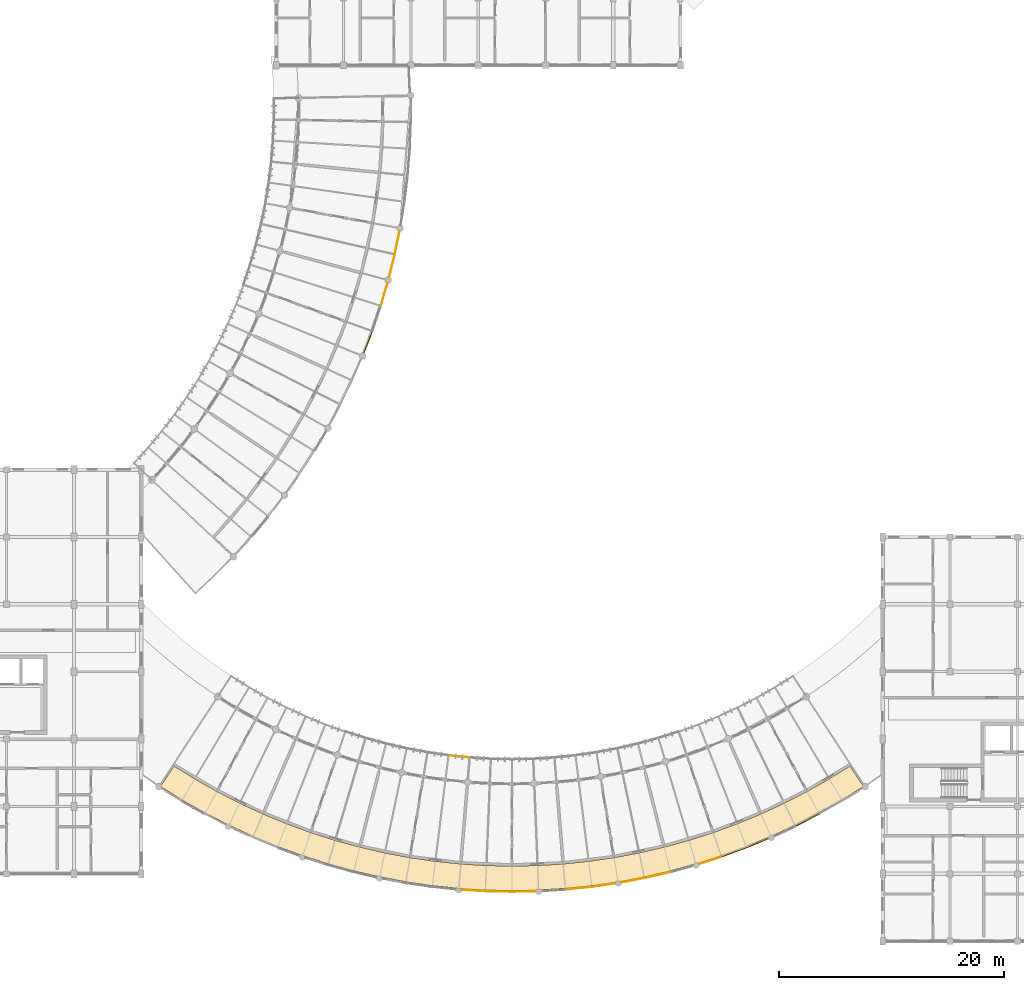
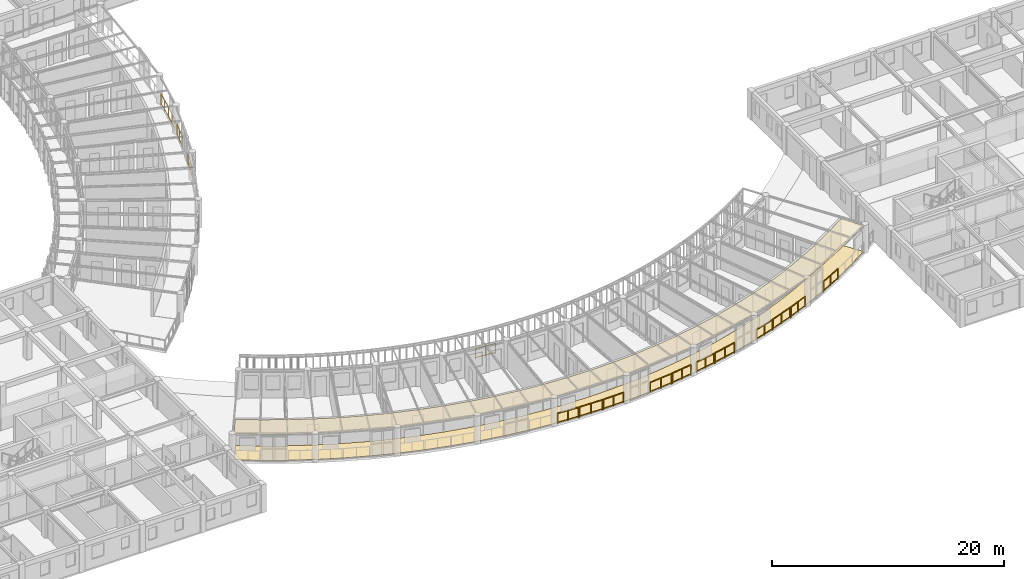
# One storey, part 92 of 101: 16 railings, 2 coverings.
"""IFC4 building model written with IfcOpenShell, lengths in metres."""

from ifc_helpers import new_model, si_unit, direction, frame, origin, origin_2d, place, context, subcontext, project, spatial, polyline, circle, outline, extrude, material, layer, layer_set, type_object, element, save


model = new_model("IFC4")

# Units and contexts
model_context = context("Model", 3, precision=1e-05, world=origin(), true_north=direction((0.0, 1.0)))
body_context = subcontext(model_context, "Body", "Model", "MODEL_VIEW")
ifc_project = project(units=[si_unit("LENGTHUNIT", "METRE"), si_unit("AREAUNIT", "SQUARE_METRE"), si_unit("VOLUMEUNIT", "CUBIC_METRE"), si_unit("PLANEANGLEUNIT", "RADIAN"), si_unit("MASSUNIT", "GRAM", prefix="KILO"), si_unit("POWERUNIT", "WATT"), si_unit("THERMODYNAMICTEMPERATUREUNIT", "KELVIN")], contexts=[model_context])

# Site, building, storey
site_placement = place(None, origin())
site = spatial("IfcSite", under=ifc_project, at=site_placement, CompositionType="ELEMENT")
building_placement = place(site_placement, origin())
building = spatial("IfcBuilding", under=site, at=building_placement, Name="Ruvembo Vaulted Housing Court", CompositionType="ELEMENT")
storey_placement = place(building_placement, frame((0.0, 0.0, 17.300048828125)))
storey = spatial("IfcBuildingStorey", under=building, at=storey_placement, Name="L05", CompositionType="ELEMENT", Elevation=17.300048828125)

# Coverings
ifc_material_1 = material(Name="Perforated Mineral-Fibre Acoustic Tile", Category="gypsum")
ifc_layer_1 = layer(ifc_material_1, 0.02001953125, Name="Perforated Mineral-Fibre Acoustic Tile")
ifc_layer_set_1 = layer_set([ifc_layer_1], Name="Perforated Mineral-Fibre Acoustic Tile")
covering_type_1 = type_object("IfcCoveringType", Name="COV-CEIL-ACOUST", PredefinedType="CEILING", material=ifc_layer_set_1)
covering_1_placement = place(storey_placement, frame((0.0, 0.0, 2.744873046875)))
element("IfcCovering", 1, at=covering_1_placement, inside=storey, type_object=covering_type_1, Name="Scoop SC2 L05 Shaded Access Gallery Ceiling", PredefinedType="CEILING", context=body_context, shape_type="SweptSolid", body=[
    extrude(outline(polyline([(37.705810546875, 13.7763671875), (39.62548828125, 12.5810546875), (41.6884765625, 11.41162109375), (43.798095703125, 10.328369140625), (45.950439453125, 9.3330078125), (48.14208984375, 8.427001953125), (50.369384765625, 7.612548828125), (52.628173828125, 6.890380859375), (54.9150390625, 6.26220703125), (57.2255859375, 5.728759765625), (59.556396484375, 5.291015625), (61.9033203125, 4.94970703125), (64.26220703125, 4.70556640625), (66.62890625, 4.558837890625), (69.0, 4.510009765625), (71.37109375, 4.558837890625), (73.73779296875, 4.70556640625), (76.0966796875, 4.94970703125), (78.443603515625, 5.291015625), (80.7744140625, 5.728759765625), (83.0849609375, 6.26220703125), (85.371826171875, 6.890380859375), (87.630615234375, 7.612548828125), (89.85791015625, 8.427001953125), (92.049560546875, 9.3330078125), (94.201904296875, 10.328369140625), (96.3115234375, 11.41162109375), (98.37451171875, 12.5810546875), (100.294189453125, 13.7763671875), (99.104248046875, 15.602783203125), (97.2626953125, 14.456298828125), (97.2587890625, 14.453857421875), (95.27783203125, 13.3310546875), (95.27392578125, 13.328857421875), (93.248291015625, 12.288818359375), (93.244384765625, 12.286865234375), (91.177490234375, 11.3310546875), (91.17333984375, 11.3291015625), (89.069091796875, 10.45947265625), (89.064697265625, 10.457763671875), (86.92626953125, 9.675537109375), (86.922119140625, 9.674072265625), (84.753173828125, 8.980712890625), (84.748779296875, 8.9794921875), (82.552978515625, 8.376220703125), (82.548583984375, 8.375244140625), (80.330078125, 7.86279296875), (80.32568359375, 7.862060546875), (78.087646484375, 7.441650390625), (78.083251953125, 7.44091796875), (75.829833984375, 7.11328125), (75.825439453125, 7.11279296875), (73.560546875, 6.87841796875), (73.555908203125, 6.8779296875), (71.283203125, 6.737060546875), (71.27880859375, 6.73681640625), (69.002197265625, 6.68994140625), (68.997802734375, 6.68994140625), (66.72119140625, 6.73681640625), (66.716796875, 6.737060546875), (64.444091796875, 6.8779296875), (64.439453125, 6.87841796875), (62.174560546875, 7.11279296875), (62.170166015625, 7.11328125), (59.916748046875, 7.44091796875), (59.912109375, 7.441650390625), (57.67431640625, 7.862060546875), (57.669921875, 7.86279296875), (55.451416015625, 8.375244140625), (55.447021484375, 8.376220703125), (53.251220703125, 8.9794921875), (53.246826171875, 8.980712890625), (51.077880859375, 9.674072265625), (51.07373046875, 9.675537109375), (48.935302734375, 10.457763671875), (48.930908203125, 10.45947265625), (46.82666015625, 11.3291015625), (46.822509765625, 11.3310546875), (44.755615234375, 12.286865234375), (44.751708984375, 12.288818359375), (42.72607421875, 13.328857421875), (42.72216796875, 13.3310546875), (40.7412109375, 14.453857421875), (40.7373046875, 14.456298828125), (38.895751953125, 15.602783203125), (37.705810546875, 13.7763671875)])), origin(), (0.0, 0.0, 1.0), 0.02001953125),
])
ifc_material_2 = material(Name="Polished Cement-Aggregate Terrazzo", Category="stone")
ifc_layer_2 = layer(ifc_material_2, 0.02197265625, Name="Polished Cement-Aggregate Terrazzo")
ifc_layer_set_2 = layer_set([ifc_layer_2], Name="Polished Cement-Aggregate Terrazzo")
covering_type_2 = type_object("IfcCoveringType", Name="COV-FLR-CERAMIC", PredefinedType="FLOORING", material=ifc_layer_set_2)
covering_2_placement = place(storey_placement, origin())
element("IfcCovering", 2, at=covering_2_placement, inside=storey, type_object=covering_type_2, Name="Scoop SC2 L05 Shaded Access Gallery Flooring", PredefinedType="FLOORING", context=body_context, shape_type="SweptSolid", body=[
    extrude(outline(polyline([(37.705810546875, 13.7763671875), (39.62548828125, 12.5810546875), (41.6884765625, 11.41162109375), (43.798095703125, 10.328369140625), (45.950439453125, 9.3330078125), (48.14208984375, 8.427001953125), (50.369384765625, 7.612548828125), (52.628173828125, 6.890380859375), (54.9150390625, 6.26220703125), (57.2255859375, 5.728759765625), (59.556396484375, 5.291015625), (61.9033203125, 4.94970703125), (64.26220703125, 4.70556640625), (66.62890625, 4.558837890625), (69.0, 4.510009765625), (71.37109375, 4.558837890625), (73.73779296875, 4.70556640625), (76.0966796875, 4.94970703125), (78.443603515625, 5.291015625), (80.7744140625, 5.728759765625), (83.0849609375, 6.26220703125), (85.371826171875, 6.890380859375), (87.630615234375, 7.612548828125), (89.85791015625, 8.427001953125), (92.049560546875, 9.3330078125), (94.201904296875, 10.328369140625), (96.3115234375, 11.41162109375), (98.37451171875, 12.5810546875), (100.294189453125, 13.7763671875), (99.104248046875, 15.602783203125), (97.2626953125, 14.456298828125), (97.2587890625, 14.453857421875), (95.27783203125, 13.3310546875), (95.27392578125, 13.328857421875), (93.248291015625, 12.288818359375), (93.244384765625, 12.286865234375), (91.177490234375, 11.3310546875), (91.17333984375, 11.3291015625), (89.069091796875, 10.45947265625), (89.064697265625, 10.457763671875), (86.92626953125, 9.675537109375), (86.922119140625, 9.674072265625), (84.753173828125, 8.980712890625), (84.748779296875, 8.9794921875), (82.552978515625, 8.376220703125), (82.548583984375, 8.375244140625), (80.330078125, 7.86279296875), (80.32568359375, 7.862060546875), (78.087646484375, 7.441650390625), (78.083251953125, 7.44091796875), (75.829833984375, 7.11328125), (75.825439453125, 7.11279296875), (73.560546875, 6.87841796875), (73.555908203125, 6.8779296875), (71.283203125, 6.737060546875), (71.27880859375, 6.73681640625), (69.002197265625, 6.68994140625), (68.997802734375, 6.68994140625), (66.72119140625, 6.73681640625), (66.716796875, 6.737060546875), (64.444091796875, 6.8779296875), (64.439453125, 6.87841796875), (62.174560546875, 7.11279296875), (62.170166015625, 7.11328125), (59.916748046875, 7.44091796875), (59.912109375, 7.441650390625), (57.67431640625, 7.862060546875), (57.669921875, 7.86279296875), (55.451416015625, 8.375244140625), (55.447021484375, 8.376220703125), (53.251220703125, 8.9794921875), (53.246826171875, 8.980712890625), (51.077880859375, 9.674072265625), (51.07373046875, 9.675537109375), (48.935302734375, 10.457763671875), (48.930908203125, 10.45947265625), (46.82666015625, 11.3291015625), (46.822509765625, 11.3310546875), (44.755615234375, 12.286865234375), (44.751708984375, 12.288818359375), (42.72607421875, 13.328857421875), (42.72216796875, 13.3310546875), (40.7412109375, 14.453857421875), (40.7373046875, 14.456298828125), (38.895751953125, 15.602783203125), (37.705810546875, 13.7763671875)])), origin(), (0.0, 0.0, 1.0), 0.02197265625),
])

# Railings
ifc_material_3 = material(Name="Galvanised Painted Steel and Laminated Glass", Category="steel")
ifc_layer_3 = layer(ifc_material_3, 0.070068359375, Name="Galvanised Painted Steel and Laminated Glass")
ifc_layer_set_3 = layer_set([ifc_layer_3], Name="Galvanised Painted Steel and Laminated Glass")
railing_type_1 = type_object("IfcRailingType", Name="RL-BALUST-1120", PredefinedType="BALUSTRADE", material=ifc_layer_set_3)
railing_1_placement = place(storey_placement, frame((55.818115234375, 52.389892578125, 0.0)))
element("IfcRailing", 3, at=railing_1_placement, inside=storey, type_object=railing_type_1, Name="L05 Perimeter Guard RL-EXT-L05-0188", PredefinedType="BALUSTRADE", context=body_context, shape_type="SweptSolid", body=[
    extrude(circle(Radius=0.02392578125, at=origin_2d()), frame((0.0, 0.0, 1.09619140625), z_axis=(0.358308891854, 0.933603094478, 0.0), x_axis=(-0.933603094478, 0.358308891854, 0.0)), (0.0, 0.0, 1.0), 2.0263671875),
    extrude(circle(Radius=0.01806640625, at=origin_2d()), frame((0.0, 0.0, 0.1201171875), z_axis=(0.358308891854, 0.933603094478, 0.0), x_axis=(-0.933603094478, 0.358308891854, 0.0)), (0.0, 0.0, 1.0), 2.0263671875),
    extrude(circle(Radius=0.02099609375, at=origin_2d()), origin(), (0.0, 0.0, 1.0), 1.072021484375),
    extrude(circle(Radius=0.02099609375, at=origin_2d()), frame((0.363037109375, 0.94580078125, 0.0)), (0.0, 0.0, 1.0), 1.072021484375),
    extrude(circle(Radius=0.02099609375, at=origin_2d()), frame((0.72607421875, 1.891845703125, 0.0)), (0.0, 0.0, 1.0), 1.072021484375),
])
railing_2_placement = place(storey_placement, frame((57.336181640625, 56.628173828125, 0.0)))
element("IfcRailing", 4, at=railing_2_placement, inside=storey, type_object=railing_type_1, Name="L05 Perimeter Guard RL-EXT-L05-0189", PredefinedType="BALUSTRADE", context=body_context, shape_type="SweptSolid", body=[
    extrude(circle(Radius=0.02392578125, at=origin_2d()), frame((0.0, 0.0, 1.09619140625), z_axis=(0.280841912011, 0.959754041647, 0.0), x_axis=(-0.959754041647, 0.280841912011, 0.0)), (0.0, 0.0, 1.0), 2.0263671875),
    extrude(circle(Radius=0.01806640625, at=origin_2d()), frame((0.0, 0.0, 0.1201171875), z_axis=(0.280841912011, 0.959754041647, 0.0), x_axis=(-0.959754041647, 0.280841912011, 0.0)), (0.0, 0.0, 1.0), 2.0263671875),
    extrude(circle(Radius=0.02099609375, at=origin_2d()), origin(), (0.0, 0.0, 1.0), 1.072021484375),
    extrude(circle(Radius=0.02099609375, at=origin_2d()), frame((0.28466796875, 0.972412109375, 0.0)), (0.0, 0.0, 1.0), 1.072021484375),
    extrude(circle(Radius=0.02099609375, at=origin_2d()), frame((0.569091796875, 1.94482421875, 0.0)), (0.0, 0.0, 1.0), 1.072021484375),
])
railing_3_placement = place(storey_placement, frame((58.061767578125, 59.152099609375, 0.0)))
element("IfcRailing", 5, at=railing_3_placement, inside=storey, type_object=railing_type_1, Name="L05 Perimeter Guard RL-EXT-L05-0190", PredefinedType="BALUSTRADE", context=body_context, shape_type="SweptSolid", body=[
    extrude(circle(Radius=0.02392578125, at=origin_2d()), frame((0.0, 0.0, 1.09619140625), z_axis=(0.241174818702, 0.970481688042, 0.0), x_axis=(-0.970481688042, 0.241174818702, 0.0)), (0.0, 0.0, 1.0), 2.026611328125),
    extrude(circle(Radius=0.01806640625, at=origin_2d()), frame((0.0, 0.0, 0.1201171875), z_axis=(0.241174818702, 0.970481688042, 0.0), x_axis=(-0.970481688042, 0.241174818702, 0.0)), (0.0, 0.0, 1.0), 2.026611328125),
    extrude(circle(Radius=0.02099609375, at=origin_2d()), origin(), (0.0, 0.0, 1.0), 1.072021484375),
    extrude(circle(Radius=0.02099609375, at=origin_2d()), frame((0.244384765625, 0.9833984375, 0.0)), (0.0, 0.0, 1.0), 1.072021484375),
    extrude(circle(Radius=0.02099609375, at=origin_2d()), frame((0.48876953125, 1.966796875, 0.0)), (0.0, 0.0, 1.0), 1.072021484375),
])
railing_4_placement = place(storey_placement, frame((58.57275390625, 61.21630859375, 0.0)))
element("IfcRailing", 6, at=railing_4_placement, inside=storey, type_object=railing_type_1, Name="L05 Perimeter Guard RL-EXT-L05-0191", PredefinedType="BALUSTRADE", context=body_context, shape_type="SweptSolid", body=[
    extrude(circle(Radius=0.02392578125, at=origin_2d()), frame((0.0, 0.0, 1.09619140625), z_axis=(0.201187208501, 0.979552809774, 0.0), x_axis=(-0.979552809774, 0.201187208501, 0.0)), (0.0, 0.0, 1.0), 2.026611328125),
    extrude(circle(Radius=0.01806640625, at=origin_2d()), frame((0.0, 0.0, 0.1201171875), z_axis=(0.201187208501, 0.979552809774, 0.0), x_axis=(-0.979552809774, 0.201187208501, 0.0)), (0.0, 0.0, 1.0), 2.026611328125),
    extrude(circle(Radius=0.02099609375, at=origin_2d()), origin(), (0.0, 0.0, 1.0), 1.072021484375),
    extrude(circle(Radius=0.02099609375, at=origin_2d()), frame((0.203857421875, 0.99267578125, 0.0)), (0.0, 0.0, 1.0), 1.072021484375),
    extrude(circle(Radius=0.02099609375, at=origin_2d()), frame((0.40771484375, 1.985107421875, 0.0)), (0.0, 0.0, 1.0), 1.072021484375),
])
railing_5_placement = place(storey_placement, frame((64.552490234375, 4.577392578125, 0.0)))
element("IfcRailing", 7, at=railing_5_placement, inside=storey, type_object=railing_type_1, Name="L05 Perimeter Guard RL-EXT-L05-0483", PredefinedType="BALUSTRADE", context=body_context, shape_type="SweptSolid", body=[
    extrude(circle(Radius=0.02392578125, at=origin_2d()), frame((0.0, 0.0, 1.09619140625), z_axis=(0.998087584773, -0.061815638173, 0.0), x_axis=(0.061815638173, 0.998087584773, 0.0)), (0.0, 0.0, 1.0), 2.026123046875),
    extrude(circle(Radius=0.01806640625, at=origin_2d()), frame((0.0, 0.0, 0.1201171875), z_axis=(0.998087584773, -0.061815638173, 0.0), x_axis=(0.061815638173, 0.998087584773, 0.0)), (0.0, 0.0, 1.0), 2.026123046875),
    extrude(circle(Radius=0.02099609375, at=origin_2d()), origin(), (0.0, 0.0, 1.0), 1.072021484375),
    extrude(circle(Radius=0.02099609375, at=origin_2d()), frame((1.01123046875, -0.0625, 0.0)), (0.0, 0.0, 1.0), 1.072021484375),
    extrude(circle(Radius=0.02099609375, at=origin_2d()), frame((2.022216796875, -0.125244140625, 0.0)), (0.0, 0.0, 1.0), 1.072021484375),
])
railing_6_placement = place(storey_placement, frame((66.674560546875, 4.447998046875, 0.0)))
element("IfcRailing", 8, at=railing_6_placement, inside=storey, type_object=railing_type_1, Name="L05 Perimeter Guard RL-EXT-L05-0484", PredefinedType="BALUSTRADE", context=body_context, shape_type="SweptSolid", body=[
    extrude(circle(Radius=0.02392578125, at=origin_2d()), frame((0.0, 0.0, 1.09619140625), z_axis=(0.999785655104, -0.020703715819, 0.0), x_axis=(0.020703715819, 0.999785655104, 0.0)), (0.0, 0.0, 1.0), 2.27587890625),
    extrude(circle(Radius=0.01806640625, at=origin_2d()), frame((0.0, 0.0, 0.1201171875), z_axis=(0.999785655104, -0.020703715819, 0.0), x_axis=(0.020703715819, 0.999785655104, 0.0)), (0.0, 0.0, 1.0), 2.27587890625),
    extrude(circle(Radius=0.02099609375, at=origin_2d()), origin(), (0.0, 0.0, 1.0), 1.072021484375),
    extrude(circle(Radius=0.02099609375, at=origin_2d()), frame((1.1376953125, -0.0234375, 0.0)), (0.0, 0.0, 1.0), 1.072021484375),
    extrude(circle(Radius=0.02099609375, at=origin_2d()), frame((2.275390625, -0.047119140625, 0.0)), (0.0, 0.0, 1.0), 1.072021484375),
])
railing_7_placement = place(storey_placement, frame((69.050048828125, 4.40087890625, 0.0)))
element("IfcRailing", 9, at=railing_7_placement, inside=storey, type_object=railing_type_1, Name="L05 Perimeter Guard RL-EXT-L05-0485", PredefinedType="BALUSTRADE", context=body_context, shape_type="SweptSolid", body=[
    extrude(circle(Radius=0.02392578125, at=origin_2d()), frame((0.0, 0.0, 1.09619140625), z_axis=(0.999785194811, 0.020725931482, 0.0), x_axis=(-0.020725931482, 0.999785194811, 0.0)), (0.0, 0.0, 1.0), 2.026123046875),
    extrude(circle(Radius=0.01806640625, at=origin_2d()), frame((0.0, 0.0, 0.1201171875), z_axis=(0.999785194811, 0.020725931482, 0.0), x_axis=(-0.020725931482, 0.999785194811, 0.0)), (0.0, 0.0, 1.0), 2.026123046875),
    extrude(circle(Radius=0.02099609375, at=origin_2d()), origin(), (0.0, 0.0, 1.0), 1.072021484375),
    extrude(circle(Radius=0.02099609375, at=origin_2d()), frame((1.0126953125, 0.02099609375, 0.0)), (0.0, 0.0, 1.0), 1.072021484375),
    extrude(circle(Radius=0.02099609375, at=origin_2d()), frame((2.025634765625, 0.0419921875, 0.0)), (0.0, 0.0, 1.0), 1.072021484375),
])
railing_8_placement = place(storey_placement, frame((73.796630859375, 4.60107421875, 0.0)))
element("IfcRailing", 10, at=railing_8_placement, inside=storey, type_object=railing_type_1, Name="L05 Perimeter Guard RL-EXT-L05-0486", PredefinedType="BALUSTRADE", context=body_context, shape_type="SweptSolid", body=[
    extrude(circle(Radius=0.02392578125, at=origin_2d()), frame((0.0, 0.0, 1.09619140625), z_axis=(0.994684977784, 0.102965018188, 0.0), x_axis=(-0.102965018188, 0.994684977784, 0.0)), (0.0, 0.0, 1.0), 2.2763671875),
    extrude(circle(Radius=0.01806640625, at=origin_2d()), frame((0.0, 0.0, 0.1201171875), z_axis=(0.994684977784, 0.102965018188, 0.0), x_axis=(-0.102965018188, 0.994684977784, 0.0)), (0.0, 0.0, 1.0), 2.2763671875),
    extrude(circle(Radius=0.02099609375, at=origin_2d()), origin(), (0.0, 0.0, 1.0), 1.072021484375),
    extrude(circle(Radius=0.02099609375, at=origin_2d()), frame((1.132080078125, 0.1171875, 0.0)), (0.0, 0.0, 1.0), 1.072021484375),
    extrude(circle(Radius=0.02099609375, at=origin_2d()), frame((2.26416015625, 0.234375, 0.0)), (0.0, 0.0, 1.0), 1.072021484375),
])
railing_9_placement = place(storey_placement, frame((76.159912109375, 4.847900390625, 0.0)))
element("IfcRailing", 11, at=railing_9_placement, inside=storey, type_object=railing_type_1, Name="L05 Perimeter Guard RL-EXT-L05-0487", PredefinedType="BALUSTRADE", context=body_context, shape_type="SweptSolid", body=[
    extrude(circle(Radius=0.02392578125, at=origin_2d()), frame((0.0, 0.0, 1.09619140625), z_axis=(0.989611703785, 0.143766045131, 0.0), x_axis=(-0.143766045131, 0.989611703785, 0.0)), (0.0, 0.0, 1.0), 2.02587890625),
    extrude(circle(Radius=0.01806640625, at=origin_2d()), frame((0.0, 0.0, 0.1201171875), z_axis=(0.989611703785, 0.143766045131, 0.0), x_axis=(-0.143766045131, 0.989611703785, 0.0)), (0.0, 0.0, 1.0), 2.02587890625),
    extrude(circle(Radius=0.02099609375, at=origin_2d()), origin(), (0.0, 0.0, 1.0), 1.072021484375),
    extrude(circle(Radius=0.02099609375, at=origin_2d()), frame((1.00244140625, 0.1455078125, 0.0)), (0.0, 0.0, 1.0), 1.072021484375),
    extrude(circle(Radius=0.02099609375, at=origin_2d()), frame((2.0048828125, 0.291259765625, 0.0)), (0.0, 0.0, 1.0), 1.072021484375),
])
railing_10_placement = place(storey_placement, frame((78.756591796875, 5.23779296875, 0.0)))
element("IfcRailing", 12, at=railing_10_placement, inside=storey, type_object=railing_type_1, Name="L05 Perimeter Guard RL-EXT-L05-0488", PredefinedType="BALUSTRADE", context=body_context, shape_type="SweptSolid", body=[
    extrude(circle(Radius=0.02392578125, at=origin_2d()), frame((0.0, 0.0, 1.09619140625), z_axis=(0.982812111298, 0.184608650626, 0.0), x_axis=(-0.184608650626, 0.982812111298, 0.0)), (0.0, 0.0, 1.0), 2.026123046875),
    extrude(circle(Radius=0.01806640625, at=origin_2d()), frame((0.0, 0.0, 0.1201171875), z_axis=(0.982812111298, 0.184608650626, 0.0), x_axis=(-0.184608650626, 0.982812111298, 0.0)), (0.0, 0.0, 1.0), 2.026123046875),
    extrude(circle(Radius=0.02099609375, at=origin_2d()), origin(), (0.0, 0.0, 1.0), 1.072021484375),
    extrude(circle(Radius=0.02099609375, at=origin_2d()), frame((0.99560546875, 0.18701171875, 0.0)), (0.0, 0.0, 1.0), 1.072021484375),
    extrude(circle(Radius=0.02099609375, at=origin_2d()), frame((1.9912109375, 0.3740234375, 0.0)), (0.0, 0.0, 1.0), 1.072021484375),
])
railing_11_placement = place(storey_placement, frame((80.845703125, 5.632080078125, 0.0)))
element("IfcRailing", 13, at=railing_11_placement, inside=storey, type_object=railing_type_1, Name="L05 Perimeter Guard RL-EXT-L05-0489", PredefinedType="BALUSTRADE", context=body_context, shape_type="SweptSolid", body=[
    extrude(circle(Radius=0.02392578125, at=origin_2d()), frame((0.0, 0.0, 1.09619140625), z_axis=(0.974345977393, 0.225055362828, 0.0), x_axis=(-0.225055362828, 0.974345977393, 0.0)), (0.0, 0.0, 1.0), 2.27587890625),
    extrude(circle(Radius=0.01806640625, at=origin_2d()), frame((0.0, 0.0, 0.1201171875), z_axis=(0.974345977393, 0.225055362828, 0.0), x_axis=(-0.225055362828, 0.974345977393, 0.0)), (0.0, 0.0, 1.0), 2.27587890625),
    extrude(circle(Radius=0.02099609375, at=origin_2d()), origin(), (0.0, 0.0, 1.0), 1.072021484375),
    extrude(circle(Radius=0.02099609375, at=origin_2d()), frame((1.10888671875, 0.256103515625, 0.0)), (0.0, 0.0, 1.0), 1.072021484375),
    extrude(circle(Radius=0.02099609375, at=origin_2d()), frame((2.217529296875, 0.51220703125, 0.0)), (0.0, 0.0, 1.0), 1.072021484375),
])
railing_12_placement = place(storey_placement, frame((85.68896484375, 6.876220703125, 0.0)))
element("IfcRailing", 14, at=railing_12_placement, inside=storey, type_object=railing_type_1, Name="L05 Perimeter Guard RL-EXT-L05-0490", PredefinedType="BALUSTRADE", context=body_context, shape_type="SweptSolid", body=[
    extrude(circle(Radius=0.02392578125, at=origin_2d()), frame((0.0, 0.0, 1.09619140625), z_axis=(0.952503870969, 0.304526477978, 0.0), x_axis=(-0.304526477978, 0.952503870969, 0.0)), (0.0, 0.0, 1.0), 2.02587890625),
    extrude(circle(Radius=0.01806640625, at=origin_2d()), frame((0.0, 0.0, 0.1201171875), z_axis=(0.952503870969, 0.304526477978, 0.0), x_axis=(-0.304526477978, 0.952503870969, 0.0)), (0.0, 0.0, 1.0), 2.02587890625),
    extrude(circle(Radius=0.02099609375, at=origin_2d()), origin(), (0.0, 0.0, 1.0), 1.072021484375),
    extrude(circle(Radius=0.02099609375, at=origin_2d()), frame((0.96484375, 0.30859375, 0.0)), (0.0, 0.0, 1.0), 1.072021484375),
    extrude(circle(Radius=0.02099609375, at=origin_2d()), frame((1.9296875, 0.616943359375, 0.0)), (0.0, 0.0, 1.0), 1.072021484375),
])
railing_13_placement = place(storey_placement, frame((87.71337890625, 7.525634765625, 0.0)))
element("IfcRailing", 15, at=railing_13_placement, inside=storey, type_object=railing_type_1, Name="L05 Perimeter Guard RL-EXT-L05-0491", PredefinedType="BALUSTRADE", context=body_context, shape_type="SweptSolid", body=[
    extrude(circle(Radius=0.02392578125, at=origin_2d()), frame((0.0, 0.0, 1.09619140625), z_axis=(0.939146490209, 0.343516913599, 0.0), x_axis=(-0.343516913599, 0.939146490209, 0.0)), (0.0, 0.0, 1.0), 2.275634765625),
    extrude(circle(Radius=0.01806640625, at=origin_2d()), frame((0.0, 0.0, 0.1201171875), z_axis=(0.939146490209, 0.343516913599, 0.0), x_axis=(-0.343516913599, 0.939146490209, 0.0)), (0.0, 0.0, 1.0), 2.275634765625),
    extrude(circle(Radius=0.02099609375, at=origin_2d()), origin(), (0.0, 0.0, 1.0), 1.072021484375),
    extrude(circle(Radius=0.02099609375, at=origin_2d()), frame((1.068603515625, 0.390869140625, 0.0)), (0.0, 0.0, 1.0), 1.072021484375),
    extrude(circle(Radius=0.02099609375, at=origin_2d()), frame((2.13720703125, 0.78173828125, 0.0)), (0.0, 0.0, 1.0), 1.072021484375),
])
railing_14_placement = place(storey_placement, frame((89.94384765625, 8.34375, 0.0)))
element("IfcRailing", 16, at=railing_14_placement, inside=storey, type_object=railing_type_1, Name="L05 Perimeter Guard RL-EXT-L05-0492", PredefinedType="BALUSTRADE", context=body_context, shape_type="SweptSolid", body=[
    extrude(circle(Radius=0.02392578125, at=origin_2d()), frame((0.0, 0.0, 1.09619140625), z_axis=(0.924178222337, 0.381961533873, 0.0), x_axis=(-0.381961533873, 0.924178222337, 0.0)), (0.0, 0.0, 1.0), 2.026123046875),
    extrude(circle(Radius=0.01806640625, at=origin_2d()), frame((0.0, 0.0, 0.1201171875), z_axis=(0.924178222337, 0.381961533873, 0.0), x_axis=(-0.381961533873, 0.924178222337, 0.0)), (0.0, 0.0, 1.0), 2.026123046875),
    extrude(circle(Radius=0.02099609375, at=origin_2d()), origin(), (0.0, 0.0, 1.0), 1.072021484375),
    extrude(circle(Radius=0.02099609375, at=origin_2d()), frame((0.936279296875, 0.386962890625, 0.0)), (0.0, 0.0, 1.0), 1.072021484375),
    extrude(circle(Radius=0.02099609375, at=origin_2d()), frame((1.87255859375, 0.77392578125, 0.0)), (0.0, 0.0, 1.0), 1.072021484375),
])
railing_15_placement = place(storey_placement, frame((94.294677734375, 10.252197265625, 0.0)))
element("IfcRailing", 17, at=railing_15_placement, inside=storey, type_object=railing_type_1, Name="L05 Perimeter Guard RL-EXT-L05-0493", PredefinedType="BALUSTRADE", context=body_context, shape_type="SweptSolid", body=[
    extrude(circle(Radius=0.02392578125, at=origin_2d()), frame((0.0, 0.0, 1.09619140625), z_axis=(0.889548168518, 0.456841390295, 0.0), x_axis=(-0.456841390295, 0.889548168518, 0.0)), (0.0, 0.0, 1.0), 2.276123046875),
    extrude(circle(Radius=0.01806640625, at=origin_2d()), frame((0.0, 0.0, 0.1201171875), z_axis=(0.889548168518, 0.456841390295, 0.0), x_axis=(-0.456841390295, 0.889548168518, 0.0)), (0.0, 0.0, 1.0), 2.276123046875),
    extrude(circle(Radius=0.02099609375, at=origin_2d()), origin(), (0.0, 0.0, 1.0), 1.072021484375),
    extrude(circle(Radius=0.02099609375, at=origin_2d()), frame((1.01220703125, 0.52001953125, 0.0)), (0.0, 0.0, 1.0), 1.072021484375),
    extrude(circle(Radius=0.02099609375, at=origin_2d()), frame((2.024658203125, 1.039794921875, 0.0)), (0.0, 0.0, 1.0), 1.072021484375),
])
ifc_material_4 = material(Name="Galvanised Painted Steel S275", Category="steel")
ifc_layer_4 = layer(ifc_material_4, 0.06005859375, Name="Galvanised Painted Steel S275")
ifc_layer_set_4 = layer_set([ifc_layer_4], Name="Galvanised Painted Steel S275")
railing_type_2 = type_object("IfcRailingType", Name="RL-GUARD-1100", PredefinedType="GUARDRAIL", material=ifc_layer_set_4)
railing_16_placement = place(storey_placement, frame((63.34619140625, 16.55029296875, 0.0)))
element("IfcRailing", 18, at=railing_16_placement, inside=storey, type_object=railing_type_2, Name="L05 Perimeter Guard RL-EXT-L05-0456", PredefinedType="GUARDRAIL", context=body_context, shape_type="SweptSolid", body=[
    extrude(circle(Radius=0.02392578125, at=origin_2d()), frame((0.0, 0.0, 1.076171875), z_axis=(0.994683125416, -0.10298291127, 0.0), x_axis=(0.10298291127, 0.994683125416, 0.0)), (0.0, 0.0, 1.0), 1.889404296875),
    extrude(circle(Radius=0.01806640625, at=origin_2d()), frame((0.0, 0.0, 0.1201171875), z_axis=(0.994683125416, -0.10298291127, 0.0), x_axis=(0.10298291127, 0.994683125416, 0.0)), (0.0, 0.0, 1.0), 1.889404296875),
    extrude(circle(Radius=0.02099609375, at=origin_2d()), origin(), (0.0, 0.0, 1.0), 1.052001953125),
    extrude(circle(Radius=0.02099609375, at=origin_2d()), frame((0.939697265625, -0.09716796875, 0.0)), (0.0, 0.0, 1.0), 1.052001953125),
    extrude(circle(Radius=0.02099609375, at=origin_2d()), frame((1.87939453125, -0.194580078125, 0.0)), (0.0, 0.0, 1.0), 1.052001953125),
])

save(model, "model.ifc")
